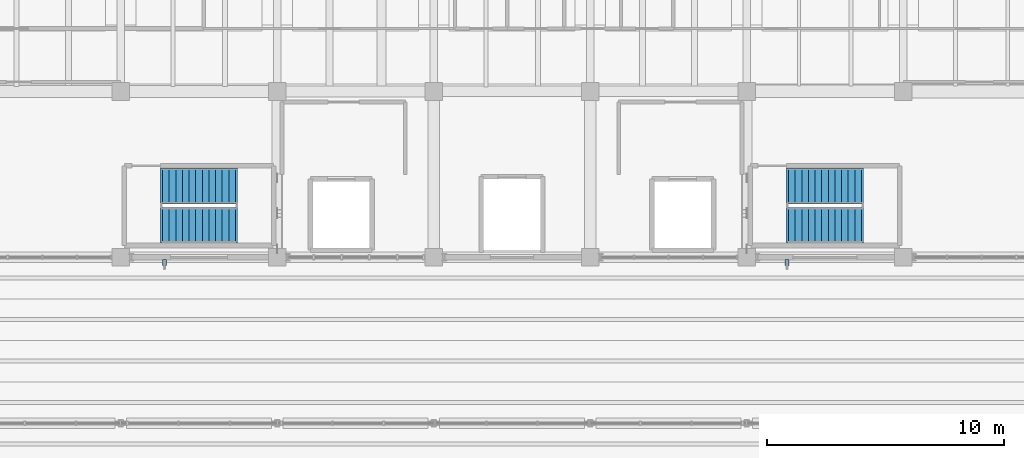
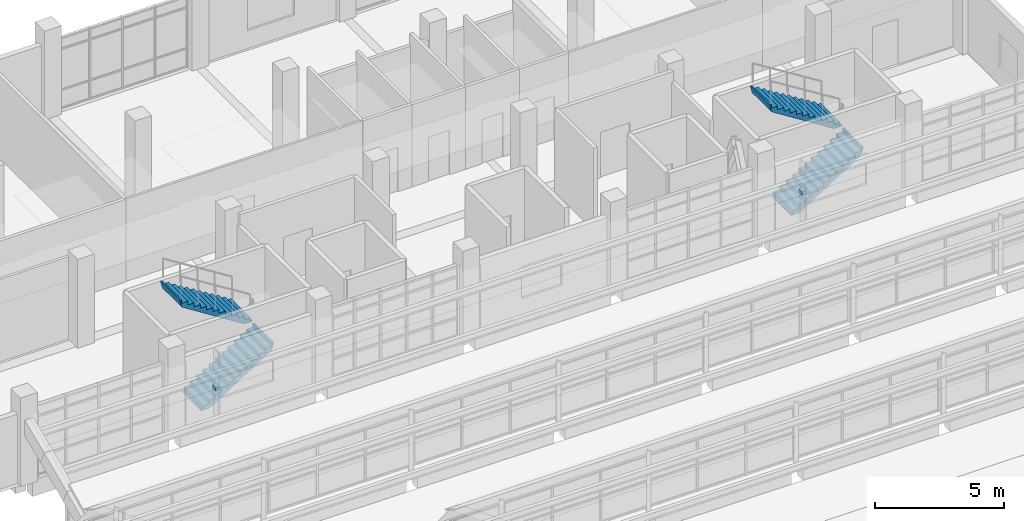
# One storey, part 89 of 92: 4 stair flights, 2 discrete accessories, 2 elements without a shape of their own.
"""IFC4 building model written with IfcOpenShell, lengths in metres."""

from ifc_helpers import new_model, si_unit, direction, frame, origin, origin_2d, place, context, subcontext, project, spatial, polyline, rectangle, outline, extrude, material, type_object, element, aggregate, save


model = new_model("IFC4")

# Units and contexts
model_context = context("Model", 3, precision=1e-05, world=origin(), true_north=direction((0.0, 1.0)))
body_context = subcontext(model_context, "Body", "Model", "MODEL_VIEW")
ifc_project = project(units=[si_unit("LENGTHUNIT", "METRE"), si_unit("AREAUNIT", "SQUARE_METRE"), si_unit("VOLUMEUNIT", "CUBIC_METRE"), si_unit("PLANEANGLEUNIT", "RADIAN"), si_unit("MASSUNIT", "GRAM", prefix="KILO")], contexts=[model_context])

# Site, building, storey
site_placement = place(None, origin())
site = spatial("IfcSite", under=ifc_project, at=site_placement, CompositionType="ELEMENT")
building_placement = place(site_placement, origin())
building = spatial("IfcBuilding", under=site, at=building_placement, Name="Ciguamira Faculty of Natural Sciences", CompositionType="ELEMENT")
storey_placement = place(building_placement, frame((0.0, 0.0, 16.800048828125)))
storey = spatial("IfcBuildingStorey", under=building, at=storey_placement, Name="L04", CompositionType="ELEMENT", Elevation=16.800048828125)

# Stair, stair flights
ifc_material_1 = material(Name="Concrete C40/50", Category="concrete")
stair_type_1 = type_object("IfcStairType", Name="Stair_STR-01", PredefinedType="HALF_TURN_STAIR", material=ifc_material_1)
stair_1_placement = place(storey_placement, origin())
stair_1 = element("IfcStair", 1, at=stair_1_placement, inside=storey, type_object=stair_type_1, Name="L04 Tower West Exit Stair", PredefinedType="HALF_TURN_STAIR")
ifc_material_2 = material(Name="Precast concrete C40/50", Category="concrete")
stair_flight_type_1 = type_object("IfcStairFlightType", Name="StairFlight_SFL-01", PredefinedType="STRAIGHT", material=ifc_material_2)
stair_flight_1_placement = place(storey_placement, frame((72.260009765625, 95.35009765625, 0.0), z_axis=(0.0, 0.0, 1.0), x_axis=(1.0, 0.0, 0.0)))
stair_flight_1 = element("IfcStairFlight", 2, at=stair_flight_1_placement, type_object=stair_flight_type_1, Name="ST-T1 flight 1", NumberOfRisers=12, NumberOfTreads=11, PredefinedType="STRAIGHT", RiserHeight=0.175, TreadLength=0.28, context=body_context, shape_type="SweptSolid", body=[
    extrude(outline(polyline([(-0.080078125, -0.034912109375), (-0.080078125, 0.0), (0.0, 0.0), (0.0, 0.175048828125), (0.280029296875, 0.175048828125), (0.280029296875, 0.35009765625), (0.56005859375, 0.35009765625), (0.56005859375, 0.52490234375), (0.840087890625, 0.52490234375), (0.840087890625, 0.699951171875), (1.1201171875, 0.699951171875), (1.1201171875, 0.875), (1.39990234375, 0.875), (1.39990234375, 1.050048828125), (1.679931640625, 1.050048828125), (1.679931640625, 1.22509765625), (1.9599609375, 1.22509765625), (1.9599609375, 1.39990234375), (2.239990234375, 1.39990234375), (2.239990234375, 1.574951171875), (2.52001953125, 1.574951171875), (2.52001953125, 1.75), (2.800048828125, 1.75), (2.800048828125, 1.925048828125), (3.080078125, 1.925048828125), (3.080078125, 2.10009765625), (3.16015625, 2.10009765625), (3.16015625, 2.065185546875), (3.080078125, 1.748291015625), (0.28271484375, -0.034912109375), (-0.080078125, -0.034912109375)])), frame((0.0, 0.75, 0.0), z_axis=(0.0, -1.0, 0.0), x_axis=(1.0, 0.0, 0.0)), (0.0, 0.0, 1.0), 1.5),
])
stair_flight_2_placement = place(storey_placement, frame((75.340087890625, 97.010009765625, 2.099853515625), z_axis=(0.0, 0.0, 1.0), x_axis=(-1.0, 0.0, 0.0)))
stair_flight_2 = element("IfcStairFlight", 3, at=stair_flight_2_placement, type_object=stair_flight_type_1, Name="ST-T1 flight 2", NumberOfRisers=12, NumberOfTreads=11, PredefinedType="STRAIGHT", RiserHeight=0.175, TreadLength=0.28, context=body_context, shape_type="SweptSolid", body=[
    extrude(outline(polyline([(-0.080078125, -0.034912109375), (-0.080078125, 0.0), (0.0, 0.0), (0.0, 0.175048828125), (0.280029296875, 0.175048828125), (0.280029296875, 0.35009765625), (0.56005859375, 0.35009765625), (0.56005859375, 0.52490234375), (0.840087890625, 0.52490234375), (0.840087890625, 0.699951171875), (1.1201171875, 0.699951171875), (1.1201171875, 0.875), (1.39990234375, 0.875), (1.39990234375, 1.050048828125), (1.679931640625, 1.050048828125), (1.679931640625, 1.22509765625), (1.9599609375, 1.22509765625), (1.9599609375, 1.39990234375), (2.239990234375, 1.39990234375), (2.239990234375, 1.574951171875), (2.52001953125, 1.574951171875), (2.52001953125, 1.75), (2.800048828125, 1.75), (2.800048828125, 1.925048828125), (3.080078125, 1.925048828125), (3.080078125, 2.10009765625), (3.16015625, 2.10009765625), (3.16015625, 2.065185546875), (3.080078125, 1.748291015625), (0.28271484375, -0.034912109375), (-0.080078125, -0.034912109375)])), frame((0.0, 0.75, 0.0), z_axis=(0.0, -1.0, 0.0), x_axis=(1.0, 0.0, 0.0)), (0.0, 0.0, 1.0), 1.5),
])
aggregate(stair_1, [stair_flight_1, stair_flight_2])

stair_type_2 = type_object("IfcStairType", Name="Stair_STR-02", PredefinedType="HALF_TURN_STAIR", material=ifc_material_1)
stair_2_placement = place(storey_placement, origin())
stair_2 = element("IfcStair", 4, at=stair_2_placement, inside=storey, type_object=stair_type_2, Name="L04 Tower East Exit Stair", PredefinedType="HALF_TURN_STAIR")
stair_flight_type_2 = type_object("IfcStairFlightType", Name="StairFlight_SFL-02", PredefinedType="STRAIGHT", material=ifc_material_2)
stair_flight_3_placement = place(storey_placement, frame((98.659912109375, 95.35009765625, 0.0), z_axis=(0.0, 0.0, 1.0), x_axis=(1.0, 0.0, 0.0)))
stair_flight_3 = element("IfcStairFlight", 5, at=stair_flight_3_placement, type_object=stair_flight_type_2, Name="ST-T2 flight 1", NumberOfRisers=12, NumberOfTreads=11, PredefinedType="STRAIGHT", RiserHeight=0.175, TreadLength=0.28, context=body_context, shape_type="SweptSolid", body=[
    extrude(outline(polyline([(-0.080078125, -0.034912109375), (-0.080078125, 0.0), (0.0, 0.0), (0.0, 0.175048828125), (0.280029296875, 0.175048828125), (0.280029296875, 0.35009765625), (0.56005859375, 0.35009765625), (0.56005859375, 0.52490234375), (0.840087890625, 0.52490234375), (0.840087890625, 0.699951171875), (1.1201171875, 0.699951171875), (1.1201171875, 0.875), (1.39990234375, 0.875), (1.39990234375, 1.050048828125), (1.679931640625, 1.050048828125), (1.679931640625, 1.22509765625), (1.9599609375, 1.22509765625), (1.9599609375, 1.39990234375), (2.239990234375, 1.39990234375), (2.239990234375, 1.574951171875), (2.52001953125, 1.574951171875), (2.52001953125, 1.75), (2.800048828125, 1.75), (2.800048828125, 1.925048828125), (3.080078125, 1.925048828125), (3.080078125, 2.10009765625), (3.16015625, 2.10009765625), (3.16015625, 2.065185546875), (3.080078125, 1.748291015625), (0.28271484375, -0.034912109375), (-0.080078125, -0.034912109375)])), frame((0.0, 0.75, 0.0), z_axis=(0.0, -1.0, 0.0), x_axis=(1.0, 0.0, 0.0)), (0.0, 0.0, 1.0), 1.5),
])
stair_flight_4_placement = place(storey_placement, frame((101.739990234375, 97.010009765625, 2.099853515625), z_axis=(0.0, 0.0, 1.0), x_axis=(-1.0, 0.0, 0.0)))
stair_flight_4 = element("IfcStairFlight", 6, at=stair_flight_4_placement, type_object=stair_flight_type_2, Name="ST-T2 flight 2", NumberOfRisers=12, NumberOfTreads=11, PredefinedType="STRAIGHT", RiserHeight=0.175, TreadLength=0.28, context=body_context, shape_type="SweptSolid", body=[
    extrude(outline(polyline([(-0.080078125, -0.034912109375), (-0.080078125, 0.0), (0.0, 0.0), (0.0, 0.175048828125), (0.280029296875, 0.175048828125), (0.280029296875, 0.35009765625), (0.56005859375, 0.35009765625), (0.56005859375, 0.52490234375), (0.840087890625, 0.52490234375), (0.840087890625, 0.699951171875), (1.1201171875, 0.699951171875), (1.1201171875, 0.875), (1.39990234375, 0.875), (1.39990234375, 1.050048828125), (1.679931640625, 1.050048828125), (1.679931640625, 1.22509765625), (1.9599609375, 1.22509765625), (1.9599609375, 1.39990234375), (2.239990234375, 1.39990234375), (2.239990234375, 1.574951171875), (2.52001953125, 1.574951171875), (2.52001953125, 1.75), (2.800048828125, 1.75), (2.800048828125, 1.925048828125), (3.080078125, 1.925048828125), (3.080078125, 2.10009765625), (3.16015625, 2.10009765625), (3.16015625, 2.065185546875), (3.080078125, 1.748291015625), (0.28271484375, -0.034912109375), (-0.080078125, -0.034912109375)])), frame((0.0, 0.75, 0.0), z_axis=(0.0, -1.0, 0.0), x_axis=(1.0, 0.0, 0.0)), (0.0, 0.0, 1.0), 1.5),
])
aggregate(stair_2, [stair_flight_3, stair_flight_4])

# Discrete accessories
ifc_material_3 = material(Name="Stainless steel fixing bracket", Category="steel")
discrete_accessory_type = type_object("IfcDiscreteAccessoryType", Name="FacadeBracket_BK01", PredefinedType="BRACKET", material=ifc_material_3)
for number, where, z_axis, x_axis, name in (
    (7, (72.35009765625, 93.780029296875, 1.44482421875), (0.0, 0.0, 1.0), (1.0, 0.0, 0.0), "L04 sunshade fixing bracket 0028"),
    (8, (98.60009765625, 93.780029296875, 1.52001953125), (0.0, 0.0, 1.0), (1.0, 0.0, 0.0), "L04 sunshade fixing bracket 0029"),
):
    element("IfcDiscreteAccessory", number, at=place(storey_placement, frame(where, z_axis=z_axis, x_axis=x_axis)), inside=storey, type_object=discrete_accessory_type, Name=name, PredefinedType="BRACKET", context=body_context, shape_type="SweptSolid", body=[
        extrude(rectangle(XDim=0.159912109375, YDim=0.239990234375, at=origin_2d()), origin(), (0.0, 0.0, 1.0), 0.159912109375),
    ])

save(model, "model.ifc")
